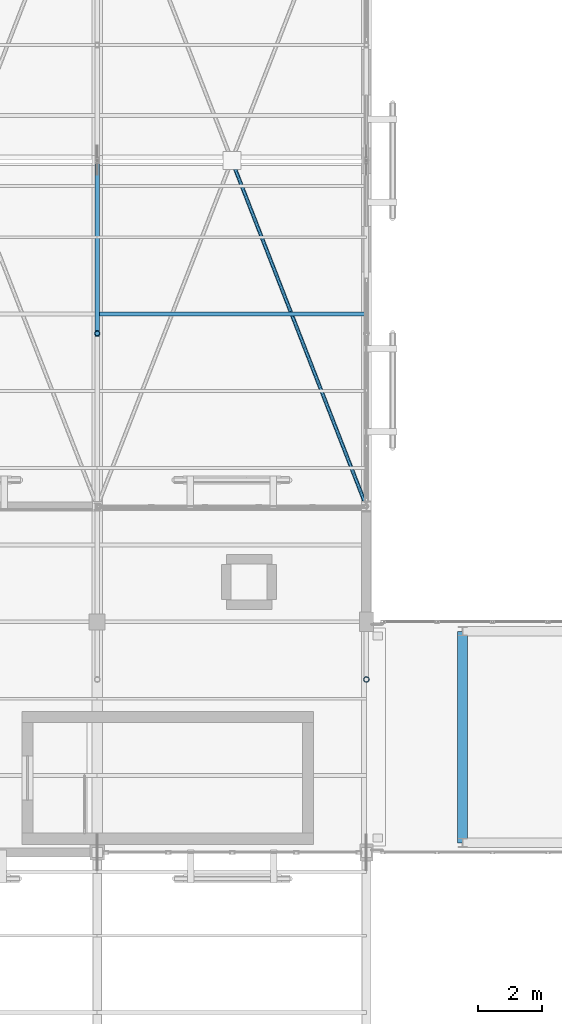
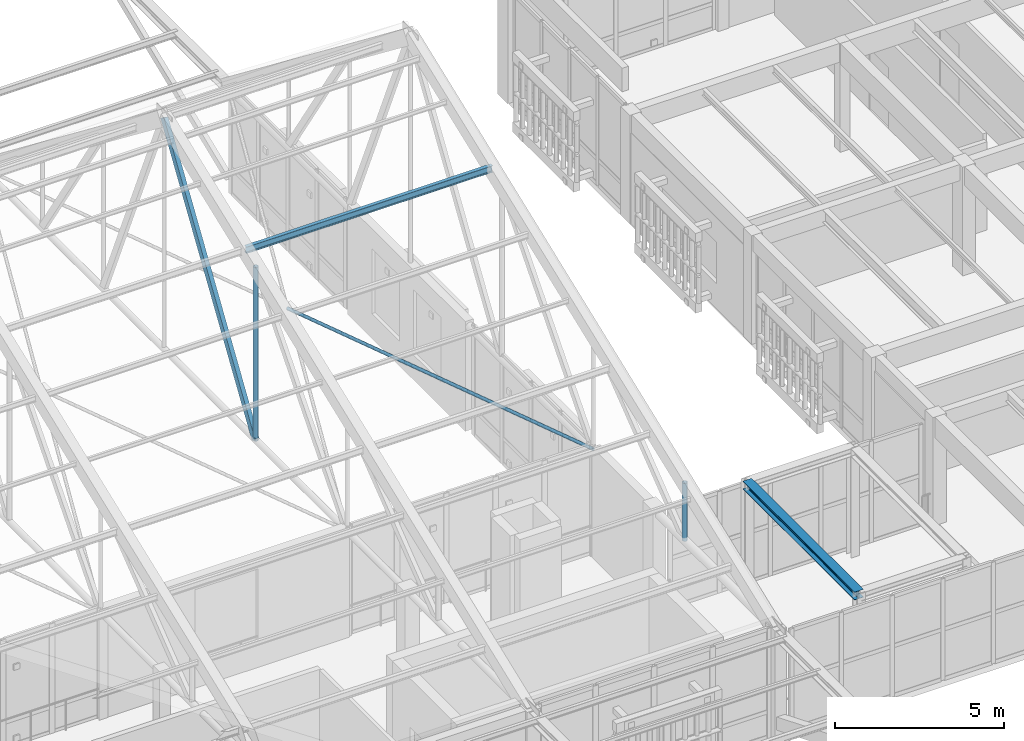
# One storey, part 106 of 217: 5 members, 1 beam.
"""IFC4 building model written with IfcOpenShell, lengths in metres."""

from ifc_helpers import new_model, si_unit, direction, frame, origin, origin_2d, place, context, subcontext, project, spatial, hollow_rectangle, hollow_circle, i_section, extrude, material, material_profile, profile_set, type_object, element, save


model = new_model("IFC4")

# Units and contexts
model_context = context("Model", 3, precision=1e-05, world=origin(), true_north=direction((0.0, 1.0)))
body_context = subcontext(model_context, "Body", "Model", "MODEL_VIEW")
ifc_project = project(units=[si_unit("LENGTHUNIT", "METRE"), si_unit("AREAUNIT", "SQUARE_METRE"), si_unit("VOLUMEUNIT", "CUBIC_METRE"), si_unit("PLANEANGLEUNIT", "RADIAN"), si_unit("MASSUNIT", "GRAM", prefix="KILO")], contexts=[model_context])

# Site, building, storey
site_placement = place(None, origin())
site = spatial("IfcSite", under=ifc_project, at=site_placement, CompositionType="ELEMENT")
building_placement = place(site_placement, origin())
building = spatial("IfcBuilding", under=site, at=building_placement, Name="Mazaris Harbour Polytechnic", CompositionType="ELEMENT")
storey_placement = place(building_placement, frame((0.0, 0.0, 9.60009765625)))
storey = spatial("IfcBuildingStorey", under=building, at=storey_placement, Name="L02", CompositionType="ELEMENT", Elevation=9.60009765625)

# Beam
ifc_material_1 = material(Name="Steel S355", Category="steel")
ifc_material_profile_1 = material_profile(ifc_material_1, i_section(OverallWidth=0.300048828125, OverallDepth=0.2900390625, WebThickness=0.008544921875, FlangeThickness=0.013916015625, FilletRadius=0.027099609375, at=origin_2d()), Name="HEA 300")
ifc_profile_set_1 = profile_set([ifc_material_profile_1], Name="Steel S355")
beam_type = type_object("IfcBeamType", Name="Steel Beam HEA300 Exterior", PredefinedType="SPANDREL", material=ifc_profile_set_1)
beam_placement = place(storey_placement, frame((115.800048828125, 75.89990234375, 3.81494140625), z_axis=(0.0, 1.0, 0.0), x_axis=(-1.0, 0.0, 0.0)))
element("IfcBeam", 1, at=beam_placement, inside=storey, type_object=beam_type, Name="PB-E2 L02 Bridge Beam 3468", PredefinedType="SPANDREL", context=body_context, shape_type="SweptSolid", body=[
    extrude(i_section(OverallWidth=0.300048828125, OverallDepth=0.2900390625, WebThickness=0.008544921875, FlangeThickness=0.013916015625, FilletRadius=0.027099609375, at=origin_2d()), origin(), (0.0, 0.0, 1.0), 6.60009765625),
])

# Members
ifc_material_2 = material(Name="Steel S355", Category="steel")
ifc_material_profile_2 = material_profile(ifc_material_2, i_section(OverallWidth=0.1201171875, OverallDepth=0.239990234375, WebThickness=0.006103515625, FlangeThickness=0.009765625, FilletRadius=0.014892578125, at=origin_2d()), Name="IPE 240")
ifc_profile_set_2 = profile_set([ifc_material_profile_2], Name="Steel S355")
member_type_1 = type_object("IfcMemberType", Name="Steel Purlin IPE240", PredefinedType="PURLIN", material=ifc_profile_set_2)
member_1_placement = place(storey_placement, frame((104.39990234375, 92.39990234375, 10.251220703125), z_axis=(1.0, 0.0, 0.0), x_axis=(0.0, 1.0, 0.0)))
element("IfcMember", 2, at=member_1_placement, inside=storey, type_object=member_type_1, Name="V1 Roof Purlin S-137", PredefinedType="PURLIN", context=body_context, shape_type="SweptSolid", body=[
    extrude(i_section(OverallWidth=0.1201171875, OverallDepth=0.239990234375, WebThickness=0.006103515625, FlangeThickness=0.009765625, FilletRadius=0.014892578125, at=origin_2d()), origin(), (0.0, 0.0, 1.0), 8.400146484375),
])
ifc_material_3 = material(Name="Steel S355", Category="steel")
ifc_material_profile_3 = material_profile(ifc_material_3, hollow_rectangle(XDim=0.139892578125, YDim=0.239990234375, WallThickness=0.010009765625, at=origin_2d()), Name="RHS 140x240x10.0")
ifc_profile_set_3 = profile_set([ifc_material_profile_3], Name="Steel S355")
member_type_2 = type_object("IfcMemberType", Name="Steel Truss Diagonal RHS140x240", PredefinedType="BRACE", material=ifc_profile_set_3)
member_2_placement = place(storey_placement, frame((104.39990234375, 91.800048828125, 3.75), z_axis=(0.0, 0.543042568824, 0.839705167571), x_axis=(-1.0, 0.0, 0.0)))
element("IfcMember", 3, at=member_2_placement, inside=storey, type_object=member_type_2, Name="Truss 7 Web Diagonal S4", PredefinedType="BRACE", context=body_context, shape_type="SweptSolid", body=[
    extrude(hollow_rectangle(XDim=0.139892578125, YDim=0.239990234375, WallThickness=0.010009765625, at=origin_2d()), origin(), (0.0, 0.0, 1.0), 9.94384765625),
])
ifc_material_4 = material(Name="Steel S355", Category="steel")
ifc_material_profile_4 = material_profile(ifc_material_4, hollow_circle(Radius=0.084228515625, WallThickness=0.008056640625, at=origin_2d()), Name="CHS 168.3x8.0")
ifc_profile_set_4 = profile_set([ifc_material_profile_4], Name="Steel S355")
member_type_3 = type_object("IfcMemberType", Name="Steel Truss Strut CHS168", PredefinedType="STRUT", material=ifc_profile_set_4)
member_3_placement = place(storey_placement, frame((104.39990234375, 91.800048828125, 3.75), z_axis=(0.0, 0.0, 1.0), x_axis=(1.0, 0.0, 0.0)))
element("IfcMember", 4, at=member_3_placement, inside=storey, type_object=member_type_3, Name="Truss 7 Web Post S3", PredefinedType="STRUT", context=body_context, shape_type="SweptSolid", body=[
    extrude(hollow_circle(Radius=0.084228515625, WallThickness=0.008056640625, at=origin_2d()), origin(), (0.0, 0.0, 1.0), 6.262451171875),
])
member_4_placement = place(storey_placement, frame((112.800048828125, 81.0, 3.75), z_axis=(0.0, 0.0, 1.0), x_axis=(1.0, 0.0, 0.0)))
element("IfcMember", 5, at=member_4_placement, inside=storey, type_object=member_type_3, Name="Truss 8 Web Post S1", PredefinedType="STRUT", context=body_context, shape_type="SweptSolid", body=[
    extrude(hollow_circle(Radius=0.084228515625, WallThickness=0.008056640625, at=origin_2d()), origin(), (0.0, 0.0, 1.0), 2.08740234375),
])
ifc_material_5 = material(Name="Steel S355", Category="steel")
ifc_material_profile_5 = material_profile(ifc_material_5, hollow_circle(Radius=0.05712890625, WallThickness=0.00634765625, at=origin_2d()), Name="CHS 114.3x6.3")
ifc_profile_set_5 = profile_set([ifc_material_profile_5], Name="Steel S355")
member_type_4 = type_object("IfcMemberType", Name="Steel Wind Brace CHS114", PredefinedType="BRACE", material=ifc_profile_set_5)
member_5_placement = place(storey_placement, frame((108.60009765625, 97.199951171875, 3.75), z_axis=(0.3624411776, -0.932006648463, 0.0), x_axis=(0.932006648463, 0.3624411776, 0.0)))
element("IfcMember", 6, at=member_5_placement, inside=storey, type_object=member_type_4, Name="V1 Split Roof Wind Brace 7B2", PredefinedType="BRACE", context=body_context, shape_type="SweptSolid", body=[
    extrude(hollow_circle(Radius=0.05712890625, WallThickness=0.00634765625, at=origin_2d()), origin(), (0.0, 0.0, 1.0), 11.587890625),
])

save(model, "model.ifc")
